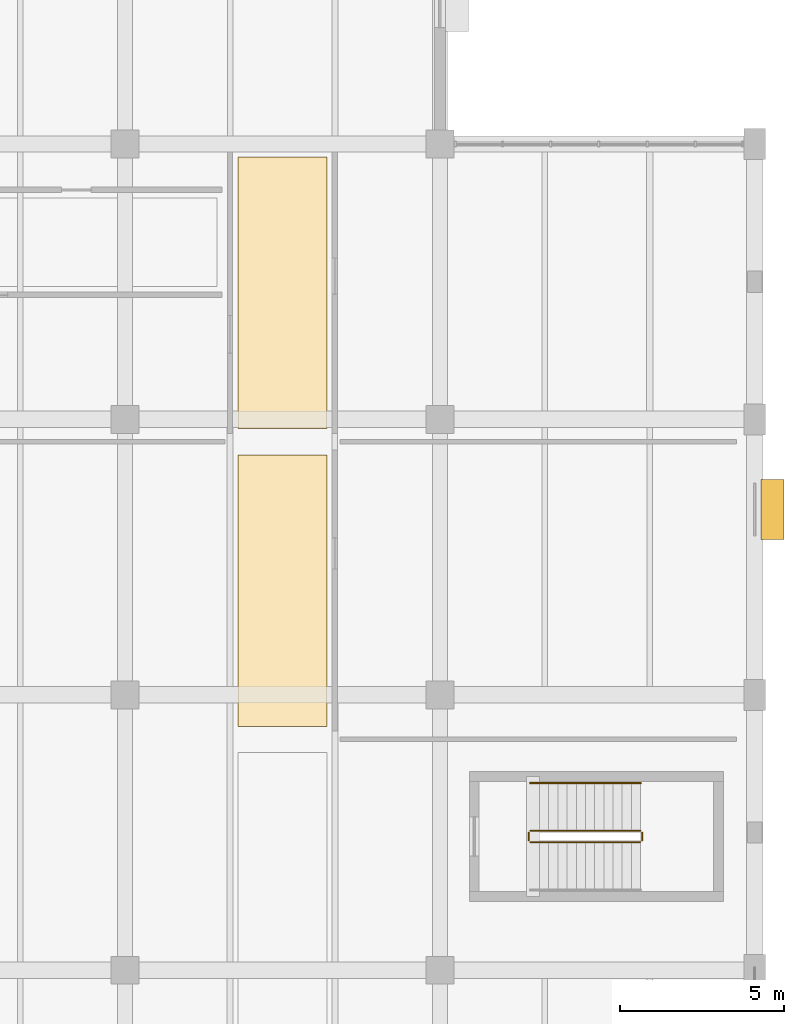
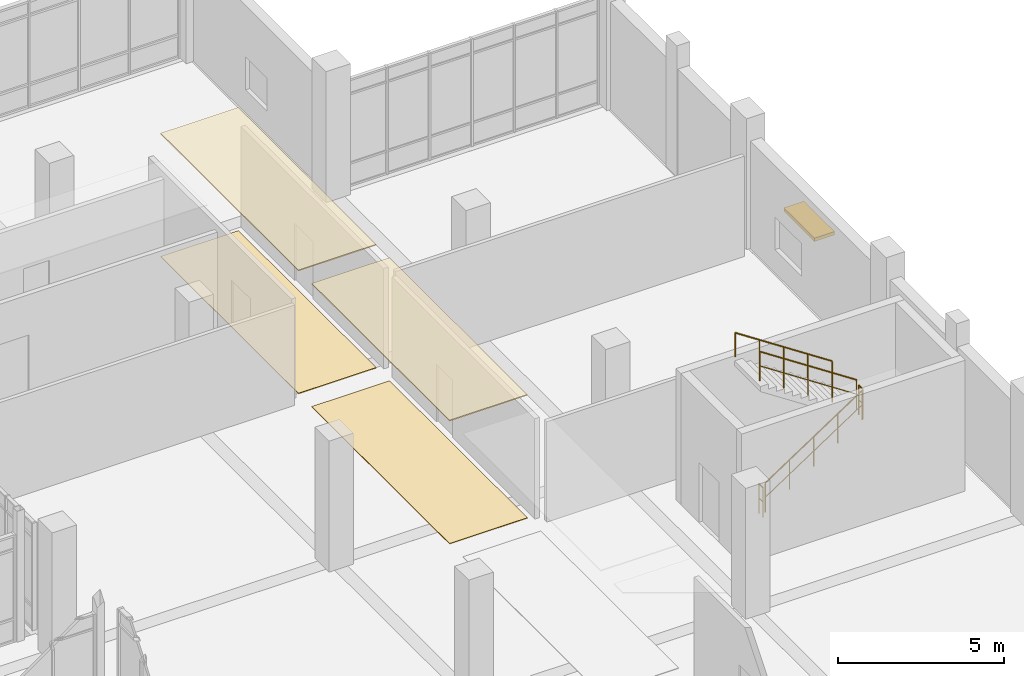
# One storey, part 146 of 152: 5 railings, 4 coverings, 1 shading device.
"""IFC4 building model written with IfcOpenShell, lengths in metres."""

from ifc_helpers import new_model, si_unit, direction, frame, origin, origin_2d, place, context, subcontext, project, spatial, polyline, rectangle, circle, outline, extrude, material, layer, layer_set, type_object, element, save


model = new_model("IFC4")

# Units and contexts
model_context = context("Model", 3, precision=1e-05, world=origin(), true_north=direction((0.0, 1.0)))
body_context = subcontext(model_context, "Body", "Model", "MODEL_VIEW")
ifc_project = project(units=[si_unit("LENGTHUNIT", "METRE"), si_unit("AREAUNIT", "SQUARE_METRE"), si_unit("VOLUMEUNIT", "CUBIC_METRE"), si_unit("PLANEANGLEUNIT", "RADIAN"), si_unit("MASSUNIT", "GRAM", prefix="KILO")], contexts=[model_context])

# Site, building, storey
site_placement = place(None, origin())
site = spatial("IfcSite", under=ifc_project, at=site_placement, CompositionType="ELEMENT")
building_placement = place(site_placement, origin())
building = spatial("IfcBuilding", under=site, at=building_placement, Name="Oolite Switchyard Hospital", CompositionType="ELEMENT")
storey_placement = place(building_placement, frame((0.0, 0.0, 5.10009765625)))
storey = spatial("IfcBuildingStorey", under=building, at=storey_placement, Name="L01", CompositionType="ELEMENT", Elevation=5.10009765625)

# Coverings
ifc_material_1 = material(Name="Hygienic washable mineral-fibre acoustic ceiling")
ifc_layer_1 = layer(ifc_material_1, 0.0400390625)
ifc_layer_set_1 = layer_set([ifc_layer_1], Name="COV-CEIL-AC60")
covering_type_1 = type_object("IfcCoveringType", Name="COV-CEIL-AC60", PredefinedType="CEILING", material=ifc_layer_set_1)
covering_1_placement = place(storey_placement, frame((0.0, 0.0, 4.5)))
element("IfcCovering", 1, at=covering_1_placement, inside=storey, type_object=covering_type_1, Name="L01 Outpatient Orthopedics Clinic Corridor Ceiling 4", PredefinedType="CEILING", context=body_context, shape_type="SweptSolid", body=[
    extrude(outline(polyline([(195.449951171875, 49.43994140625), (198.14990234375, 49.43994140625), (198.14990234375, 57.719970703125), (195.449951171875, 57.719970703125), (195.449951171875, 49.43994140625)])), origin(), (0.0, 0.0, 1.0), 0.039794921875),
])
covering_2_placement = place(storey_placement, frame((0.0, 0.0, 4.5)))
element("IfcCovering", 2, at=covering_2_placement, inside=storey, type_object=covering_type_1, Name="L01 Outpatient Orthopedics Clinic Corridor Ceiling 5", PredefinedType="CEILING", context=body_context, shape_type="SweptSolid", body=[
    extrude(outline(polyline([(195.449951171875, 58.52001953125), (198.14990234375, 58.52001953125), (198.14990234375, 66.800048828125), (195.449951171875, 66.800048828125), (195.449951171875, 58.52001953125)])), origin(), (0.0, 0.0, 1.0), 0.039794921875),
])
ifc_material_2 = material(Name="Epoxy terrazzo seamless clinical flooring")
ifc_layer_2 = layer(ifc_material_2, 0.02001953125)
ifc_layer_set_2 = layer_set([ifc_layer_2], Name="COV-FLR-TER20")
covering_type_2 = type_object("IfcCoveringType", Name="COV-FLR-TER20", PredefinedType="FLOORING", material=ifc_layer_set_2)
covering_3_placement = place(storey_placement, origin())
element("IfcCovering", 3, at=covering_3_placement, inside=storey, type_object=covering_type_2, Name="L01 Outpatient Orthopedics Clinic Corridor Flooring 4", PredefinedType="FLOORING", context=body_context, shape_type="SweptSolid", body=[
    extrude(outline(polyline([(195.449951171875, 49.43994140625), (198.14990234375, 49.43994140625), (198.14990234375, 57.719970703125), (195.449951171875, 57.719970703125), (195.449951171875, 49.43994140625)])), origin(), (0.0, 0.0, 1.0), 0.02001953125),
])
covering_4_placement = place(storey_placement, origin())
element("IfcCovering", 4, at=covering_4_placement, inside=storey, type_object=covering_type_2, Name="L01 Outpatient Orthopedics Clinic Corridor Flooring 5", PredefinedType="FLOORING", context=body_context, shape_type="SweptSolid", body=[
    extrude(outline(polyline([(195.449951171875, 58.52001953125), (198.14990234375, 58.52001953125), (198.14990234375, 66.800048828125), (195.449951171875, 66.800048828125), (195.449951171875, 58.52001953125)])), origin(), (0.0, 0.0, 1.0), 0.02001953125),
])

# Railings
ifc_material_3 = material(Name="Galvanized painted architectural steel handrail", Category="steel")
railing_type_1 = type_object("IfcRailingType", Name="RL-STAIR-GRD", PredefinedType="GUARDRAIL", material=ifc_material_3)
railing_1_placement = place(storey_placement, frame((204.360107421875, 45.909912109375, 0.1845703125)))
element("IfcRailing", 5, at=railing_1_placement, inside=storey, type_object=railing_type_1, Name="L01 ST-06 stair guard 1", PredefinedType="GUARDRAIL", context=body_context, shape_type="SweptSolid", body=[
    extrude(circle(Radius=0.02392578125, at=origin_2d()), frame((0.0, 0.0, 1.076171875), z_axis=(0.834858096282, 0.0, 0.550465220583), x_axis=(0.0, 1.0, 0.0)), (0.0, 0.0, 1.0), 4.0244140625),
    extrude(circle(Radius=0.015625, at=origin_2d()), frame((0.0, 0.0, 0.550048828125), z_axis=(0.834858096282, 0.0, 0.550465220583), x_axis=(0.0, 1.0, 0.0)), (0.0, 0.0, 1.0), 4.0244140625),
    extrude(circle(Radius=0.02099609375, at=origin_2d()), origin(), (0.0, 0.0, 1.0), 1.052001953125),
    extrude(circle(Radius=0.02099609375, at=origin_2d()), frame((0.83984375, 0.0, 0.5537109375)), (0.0, 0.0, 1.0), 1.052001953125),
    extrude(circle(Radius=0.02099609375, at=origin_2d()), frame((1.679931640625, 0.0, 1.107666015625)), (0.0, 0.0, 1.0), 1.052001953125),
    extrude(circle(Radius=0.02099609375, at=origin_2d()), frame((2.52001953125, 0.0, 1.66162109375)), (0.0, 0.0, 1.0), 1.052001953125),
    extrude(circle(Radius=0.02099609375, at=origin_2d()), frame((3.35986328125, 0.0, 2.21533203125)), (0.0, 0.0, 1.0), 1.052001953125),
])
railing_2_placement = place(storey_placement, frame((207.77001953125, 45.9599609375, 2.39990234375)))
element("IfcRailing", 6, at=railing_2_placement, inside=storey, type_object=railing_type_1, Name="L01 ST-06 stair guard 2", PredefinedType="GUARDRAIL", context=body_context, shape_type="SweptSolid", body=[
    extrude(circle(Radius=0.02392578125, at=origin_2d()), frame((0.0, 0.0, 1.076171875), z_axis=(0.0, 1.0, 0.0), x_axis=(-1.0, 0.0, 0.0)), (0.0, 0.0, 1.0), 0.239990234375),
    extrude(circle(Radius=0.015625, at=origin_2d()), frame((0.0, 0.0, 0.550048828125), z_axis=(0.0, 1.0, 0.0), x_axis=(-1.0, 0.0, 0.0)), (0.0, 0.0, 1.0), 0.239990234375),
    extrude(circle(Radius=0.02099609375, at=origin_2d()), origin(), (0.0, 0.0, 1.0), 1.052001953125),
    extrude(circle(Radius=0.02099609375, at=origin_2d()), frame((0.0, 0.239990234375, 0.0)), (0.0, 0.0, 1.0), 1.052001953125),
])
railing_3_placement = place(storey_placement, frame((207.719970703125, 46.25, 2.58447265625)))
element("IfcRailing", 7, at=railing_3_placement, inside=storey, type_object=railing_type_1, Name="L01 ST-06 stair guard 3", PredefinedType="GUARDRAIL", context=body_context, shape_type="SweptSolid", body=[
    extrude(circle(Radius=0.02392578125, at=origin_2d()), frame((0.0, 0.0, 1.076171875), z_axis=(-0.834858096282, 0.0, 0.550465220583), x_axis=(0.0, -1.0, 0.0)), (0.0, 0.0, 1.0), 4.0244140625),
    extrude(circle(Radius=0.015625, at=origin_2d()), frame((0.0, 0.0, 0.550048828125), z_axis=(-0.834858096282, 0.0, 0.550465220583), x_axis=(0.0, -1.0, 0.0)), (0.0, 0.0, 1.0), 4.0244140625),
    extrude(circle(Radius=0.02099609375, at=origin_2d()), origin(), (0.0, 0.0, 1.0), 1.052001953125),
    extrude(circle(Radius=0.02099609375, at=origin_2d()), frame((-0.83984375, 0.0, 0.5537109375)), (0.0, 0.0, 1.0), 1.052001953125),
    extrude(circle(Radius=0.02099609375, at=origin_2d()), frame((-1.679931640625, 0.0, 1.107666015625)), (0.0, 0.0, 1.0), 1.052001953125),
    extrude(circle(Radius=0.02099609375, at=origin_2d()), frame((-2.52001953125, 0.0, 1.66162109375)), (0.0, 0.0, 1.0), 1.052001953125),
    extrude(circle(Radius=0.02099609375, at=origin_2d()), frame((-3.35986328125, 0.0, 2.21533203125)), (0.0, 0.0, 1.0), 1.052001953125),
])
railing_4_placement = place(storey_placement, frame((204.31005859375, 45.9599609375, 0.0)))
element("IfcRailing", 8, at=railing_4_placement, inside=storey, type_object=railing_type_1, Name="L01 ST-06 stair guard 4", PredefinedType="GUARDRAIL", context=body_context, shape_type="SweptSolid", body=[
    extrude(circle(Radius=0.02392578125, at=origin_2d()), frame((0.0, 0.0, 1.076171875), z_axis=(0.0, 1.0, 0.0), x_axis=(-1.0, 0.0, 0.0)), (0.0, 0.0, 1.0), 0.239990234375),
    extrude(circle(Radius=0.015625, at=origin_2d()), frame((0.0, 0.0, 0.550048828125), z_axis=(0.0, 1.0, 0.0), x_axis=(-1.0, 0.0, 0.0)), (0.0, 0.0, 1.0), 0.239990234375),
    extrude(circle(Radius=0.02099609375, at=origin_2d()), origin(), (0.0, 0.0, 1.0), 1.052001953125),
    extrude(circle(Radius=0.02099609375, at=origin_2d()), frame((0.0, 0.239990234375, 0.0)), (0.0, 0.0, 1.0), 1.052001953125),
])
railing_type_2 = type_object("IfcRailingType", Name="RL-STAIR-HND", PredefinedType="HANDRAIL", material=ifc_material_3)
railing_5_placement = place(storey_placement, frame((207.719970703125, 47.7099609375, 2.58447265625)))
element("IfcRailing", 9, at=railing_5_placement, inside=storey, type_object=railing_type_2, Name="L01 ST-06 stair handrail 2", PredefinedType="HANDRAIL", context=body_context, shape_type="SweptSolid", body=[
    extrude(circle(Radius=0.02392578125, at=origin_2d()), frame((0.0, 0.0, 0.8759765625), z_axis=(-0.834858096282, 0.0, 0.550465220583), x_axis=(0.0, -1.0, 0.0)), (0.0, 0.0, 1.0), 4.0244140625),
    extrude(circle(Radius=0.02099609375, at=origin_2d()), origin(), (0.0, 0.0, 1.0), 0.851806640625),
    extrude(circle(Radius=0.02099609375, at=origin_2d()), frame((-0.83984375, 0.0, 0.5537109375)), (0.0, 0.0, 1.0), 0.851806640625),
    extrude(circle(Radius=0.02099609375, at=origin_2d()), frame((-1.679931640625, 0.0, 1.107666015625)), (0.0, 0.0, 1.0), 0.851806640625),
    extrude(circle(Radius=0.02099609375, at=origin_2d()), frame((-2.52001953125, 0.0, 1.66162109375)), (0.0, 0.0, 1.0), 0.851806640625),
    extrude(circle(Radius=0.02099609375, at=origin_2d()), frame((-3.35986328125, 0.0, 2.21533203125)), (0.0, 0.0, 1.0), 0.851806640625),
])

# Shading device
ifc_material_4 = material(Name="Precast oolitic limestone architectural concrete C40/50", Category="masonry")
ifc_layer_3 = layer(ifc_material_4, 0.1201171875)
ifc_layer_set_3 = layer_set([ifc_layer_3], Name="SHD-BRISE-900")
shading_device_type = type_object("IfcShadingDeviceType", Name="SHD-BRISE-900", PredefinedType="AWNING", material=ifc_layer_set_3)
shading_device_placement = place(storey_placement, frame((211.739990234375, 56.051025390625, 2.059814453125), z_axis=(0.0, 0.0, 1.0), x_axis=(0.0, 1.0, 0.0)))
element("IfcShadingDevice", 10, at=shading_device_placement, inside=storey, type_object=shading_device_type, Name="L01 Classical Brise-Soleil Sunshade 27", PredefinedType="AWNING", context=body_context, shape_type="SweptSolid", body=[
    extrude(rectangle(XDim=1.840087890625, YDim=0.699951171875, at=origin_2d()), origin(), (0.0, 0.0, 1.0), 0.1201171875),
])

save(model, "model.ifc")
